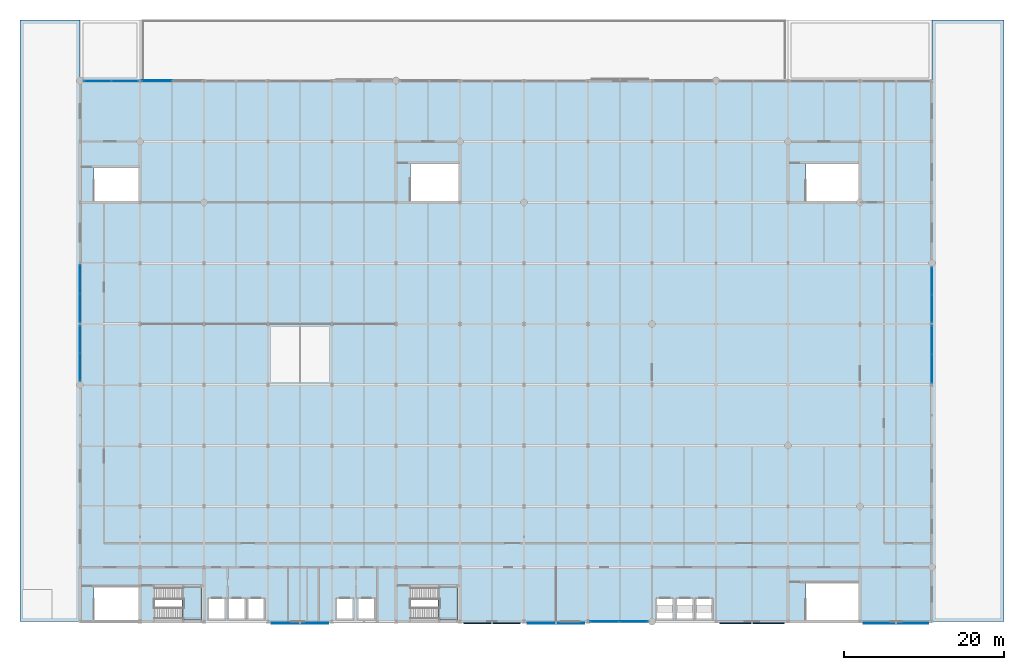
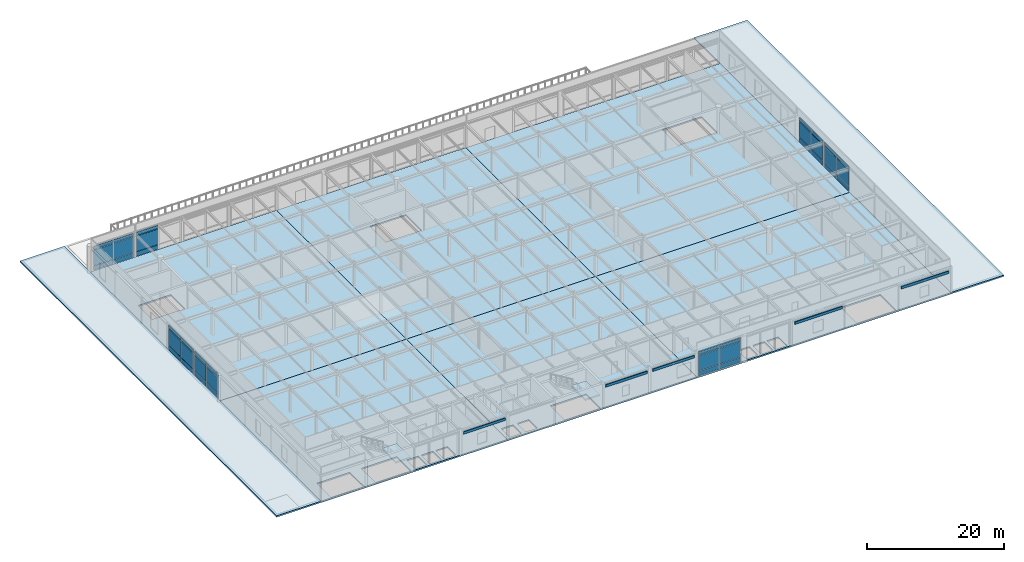
# One storey, part 30 of 43: 44 plates, 10 slabs, 9 elements without a shape of their own.
"""IFC4 building model written with IfcOpenShell, lengths in metres."""

import ifcopenshell
import ifcopenshell.guid

model = None  # the IFC model being written
_history = None  # IfcOwnerHistory: only IFC2X3 demands one
_inside = {}  # id of a spatial element -> (the spatial element, [elements in it])
_under = {}  # id of a project, library or spatial element -> (it, [spatial elements below it])
_declared = {}  # id of a project -> (the project, [libraries it declares])
_typed = {}  # id of a type object -> (the type object, [elements of that type])
_made_of = {}  # id of a material, layer set ... -> (it, [elements and type objects made of it])


def new_model(schema):
    """Start an empty IFC model of exactly this schema.

    Asked for "IFC4X3", IfcOpenShell would pick the latest addendum, in which some entities
    have other attributes; the version numbers below select the first issue.
    IFC2X3 requires an IfcOwnerHistory on every rooted entity: one is made here for all.
    """
    global model, _history
    if schema == "IFC4X3":
        model = ifcopenshell.file(schema_version=(4, 3, 0, 0))
    else:
        model = ifcopenshell.file(schema=schema)
    _inside.clear()
    _under.clear()
    _declared.clear()
    _typed.clear()
    _made_of.clear()
    _history = None
    if model.schema == "IFC2X3":
        org = make("IfcOrganization", Name="unknown")
        user = make(
            "IfcPersonAndOrganization",
            ThePerson=make("IfcPerson", FamilyName="unknown"),
            TheOrganization=org,
        )
        app = make(
            "IfcApplication",
            ApplicationDeveloper=org,
            Version="unknown",
            ApplicationFullName="unknown",
            ApplicationIdentifier="unknown",
        )
        _history = make(
            "IfcOwnerHistory",
            OwningUser=user,
            OwningApplication=app,
            ChangeAction="ADDED",
            CreationDate=0,
        )
    return model


def make(cls, **values):
    """One entity of the class cls with the attributes given. An attribute that is None is left unset."""
    return model.create_entity(
        cls, **{name: value for name, value in values.items() if value is not None}
    )


def rooted(cls, **values):
    """An entity with a GlobalId (a new one), such as an element, a storey or a relation."""
    return make(cls, GlobalId=ifcopenshell.guid.new(), OwnerHistory=_history, **values)


def si_unit(unit_type, name, prefix=None):
    """IfcSIUnit, for example si_unit("LENGTHUNIT", "METRE", prefix="MILLI")."""
    return make("IfcSIUnit", UnitType=unit_type, Prefix=prefix, Name=name)


def assignment(units):
    """IfcUnitAssignment: the units of a project."""
    return None if units is None else make("IfcUnitAssignment", Units=units)


def point(xyz):
    """IfcCartesianPoint."""
    return None if xyz is None else make("IfcCartesianPoint", Coordinates=xyz)


def direction(xyz):
    """IfcDirection."""
    return None if xyz is None else make("IfcDirection", DirectionRatios=xyz)


def frame(location, z_axis=None, x_axis=None):
    """IfcAxis2Placement3D, a coordinate frame: its origin and axes. An axis left out is left unset."""
    return make(
        "IfcAxis2Placement3D",
        Location=point(location),
        Axis=direction(z_axis),
        RefDirection=direction(x_axis),
    )


def frame_2d(location, x_axis=None):
    """IfcAxis2Placement2D, a coordinate frame in the plane: its origin and x axis."""
    return make(
        "IfcAxis2Placement2D", Location=point(location), RefDirection=direction(x_axis)
    )


def origin():
    """The frame at (0, 0, 0) with its axes left unset."""
    return frame((0.0, 0.0, 0.0))


def origin_2d():
    """The frame at (0, 0) in the plane with its x axis left unset."""
    return frame_2d((0.0, 0.0))


def place(relative_to, where):
    """IfcLocalPlacement: puts the frame where relative to a parent placement (None: the world)."""
    return make(
        "IfcLocalPlacement", PlacementRelTo=relative_to, RelativePlacement=where
    )


def context(
    kind, dimensions, precision=None, world=None, true_north=None, identifier=None
):
    """IfcGeometricRepresentationContext, for example the 3D "Model" context."""
    return make(
        "IfcGeometricRepresentationContext",
        ContextIdentifier=identifier,
        ContextType=kind,
        CoordinateSpaceDimension=dimensions,
        Precision=precision,
        WorldCoordinateSystem=world,
        TrueNorth=true_north,
    )


def subcontext(parent, identifier, kind, view, scale=None):
    """IfcGeometricRepresentationSubContext, for example "Body" below "Model"."""
    return make(
        "IfcGeometricRepresentationSubContext",
        ContextIdentifier=identifier,
        ContextType=kind,
        ParentContext=parent,
        TargetScale=scale,
        TargetView=view,
    )


def project(units=None, contexts=None):
    """IfcProject with its units and contexts."""
    return rooted(
        "IfcProject",
        Name="project",
        RepresentationContexts=contexts,
        UnitsInContext=assignment(units),
    )


def spatial(cls, under=None, at=None, **own):
    """A site, building, storey or space (cls), placed at a placement, below another one or the project."""
    s = rooted(cls, ObjectPlacement=at, **own)
    if under is not None:
        _under.setdefault(under.id(), (under, []))[1].append(s)
    return s


def polyline(points):
    """IfcPolyline through the points."""
    return make("IfcPolyline", Points=[point(p) for p in points])


def profile(cls, at=None, kind="AREA", **sizes):
    """A parametric profile (cls). Its sizes go by their IFC names, for example OverallWidth=200.0."""
    return make(cls, ProfileType=kind, Position=at, **sizes)


def rectangle(**sizes):
    """IfcRectangleProfileDef."""
    return profile("IfcRectangleProfileDef", **sizes)


def outline(outer, holes=None, kind="AREA"):
    """IfcArbitraryClosedProfileDef: a profile drawn as a closed curve; with holes, ...WithVoids."""
    if holes is None:
        return make("IfcArbitraryClosedProfileDef", ProfileType=kind, OuterCurve=outer)
    return make(
        "IfcArbitraryProfileDefWithVoids",
        ProfileType=kind,
        OuterCurve=outer,
        InnerCurves=holes,
    )


def extrude(swept, where, along, depth):
    """IfcExtrudedAreaSolid: the profile swept, set in the frame where, extruded along a direction by depth."""
    return make(
        "IfcExtrudedAreaSolid",
        SweptArea=swept,
        Position=where,
        ExtrudedDirection=direction(along),
        Depth=depth,
    )


def shape(context_of_items, identifier, shape_type, items):
    """IfcShapeRepresentation: the items that make up one representation, for example the "Body"."""
    return make(
        "IfcShapeRepresentation",
        ContextOfItems=context_of_items,
        RepresentationIdentifier=identifier,
        RepresentationType=shape_type,
        Items=items,
    )


def material(Name=None, Category=None):
    """IfcMaterial."""
    return make("IfcMaterial", Name=Name, Category=Category)


def layer(
    of_material, thickness, ventilated=None, Name=None, Category=None, Priority=None
):
    """IfcMaterialLayer: one layer of a wall or slab, of a material (None: an air gap)."""
    return make(
        "IfcMaterialLayer",
        Material=of_material,
        LayerThickness=thickness,
        IsVentilated=ventilated,
        Name=Name,
        Category=Category,
        Priority=Priority,
    )


def layer_set(layers, Name=None):
    """IfcMaterialLayerSet."""
    return make("IfcMaterialLayerSet", MaterialLayers=layers, LayerSetName=Name)


def made_of(thing, what):
    """Note that an element or type object is made of a material, layer set ...; save() writes the relation."""
    if what is not None:
        _made_of.setdefault(what.id(), (what, []))[1].append(thing)
    return thing


def type_object(cls, material=None, **own):
    """A type object (cls), such as IfcWallType, which elements share."""
    return made_of(rooted(cls, **own), material)


def element(
    cls,
    number,
    at=None,
    inside=None,
    cuts=None,
    type_object=None,
    material=None,
    context=None,
    identifier="Body",
    shape_type=None,
    held_by="IfcProductDefinitionShape",
    body=None,
    shapes=None,
    **own,
):
    """One element of the class cls, such as IfcWall. Its Tag is "e" and its number.

    at: its placement. inside: the storey or other place that contains it. cuts: it is an
    opening in that element (IfcRelVoidsElement). A single representation is given by context,
    identifier, shape_type and body (its items); several are given by shapes. held_by: the class
    of the entity that holds the representations. save() writes the other relations.
    """
    e = rooted(cls, Tag="e%d" % number, ObjectPlacement=at, **own)
    if body is not None:
        shapes = [shape(context, identifier, shape_type, body)]
    if shapes is not None:
        e.Representation = make(held_by, Representations=shapes)
    if inside is not None:
        _inside.setdefault(inside.id(), (inside, []))[1].append(e)
    if cuts is not None:
        rooted(
            "IfcRelVoidsElement", RelatingBuildingElement=cuts, RelatedOpeningElement=e
        )
    if type_object is not None:
        _typed.setdefault(type_object.id(), (type_object, []))[1].append(e)
    return made_of(e, material)


def aggregate(whole, parts):
    """IfcRelAggregates: a whole, such as a stair, and the parts it consists of."""
    return rooted("IfcRelAggregates", RelatingObject=whole, RelatedObjects=parts)


def save(model, path):
    """Write the relations noted so far, then the file.

    IfcRelAggregates (storeys below a building ...), IfcRelContainedInSpatialStructure (elements
    in a storey), IfcRelDefinesByType, IfcRelAssociatesMaterial and IfcRelDeclares: one each for
    every whole, place, type object, material and project.
    """
    for whole, parts in _under.values():
        aggregate(whole, parts)
    for where, things in _inside.values():
        rooted(
            "IfcRelContainedInSpatialStructure",
            RelatedElements=things,
            RelatingStructure=where,
        )
    for kind, things in _typed.values():
        rooted("IfcRelDefinesByType", RelatedObjects=things, RelatingType=kind)
    for what, things in _made_of.values():
        rooted("IfcRelAssociatesMaterial", RelatedObjects=things, RelatingMaterial=what)
    for by, libraries in _declared.values():
        rooted("IfcRelDeclares", RelatingContext=by, RelatedDefinitions=libraries)
    model.write(path)


model = new_model("IFC4")

# Units and contexts
model_context = context("Model", 3, precision=1e-05, world=origin(), true_north=direction((0.0, 1.0)))
body_context = subcontext(model_context, "Body", "Model", "MODEL_VIEW")
ifc_project = project(units=[si_unit("LENGTHUNIT", "METRE"), si_unit("AREAUNIT", "SQUARE_METRE"), si_unit("VOLUMEUNIT", "CUBIC_METRE"), si_unit("PLANEANGLEUNIT", "RADIAN"), si_unit("MASSUNIT", "GRAM", prefix="KILO")], contexts=[model_context])

# Site, building, storey
site_placement = place(None, origin())
site = spatial("IfcSite", under=ifc_project, at=site_placement, CompositionType="ELEMENT")
building_placement = place(site_placement, origin())
building = spatial("IfcBuilding", under=site, at=building_placement, Name="Shalkamar Park Central Library", CompositionType="ELEMENT")
storey_placement = place(building_placement, frame((0.0, 0.0, 15.60009765625)))
storey = spatial("IfcBuildingStorey", under=building, at=storey_placement, Name="L04", CompositionType="ELEMENT", Elevation=15.60009765625)

# Plates
ifc_material_1 = material(Name="Anodized bronze architectural frieze plate", Category="aluminium")
ifc_layer_1 = layer(ifc_material_1, 0.110107421875)
ifc_layer_set_1 = layer_set([ifc_layer_1], Name="BronzeSpandrelFriezePlate_110")
plate_type_1 = type_object("IfcPlateType", Name="Bronze Spandrel Frieze Plate 110", PredefinedType="USERDEFINED", material=ifc_layer_set_1)
for number, where, z_axis, x_axis, name in (
    (1, (185.0, 248.205078125, 3.7177734375), (0.0, 0.0, 1.0), (1.0, 0.0, 0.0), "Bronze Spandrel Frieze Plate L04-035"),
    (2, (217.0, 248.205078125, 3.7177734375), (0.0, 0.0, 1.0), (1.0, 0.0, 0.0), "Bronze Spandrel Frieze Plate L04-037"),
):
    element("IfcPlate", number, at=place(storey_placement, frame(where, z_axis=z_axis, x_axis=x_axis)), inside=storey, type_object=plate_type_1, Name=name, ObjectType="CLADDING", PredefinedType="USERDEFINED", context=body_context, shape_type="SweptSolid", body=[
        extrude(rectangle(XDim=7.028076171875, YDim=0.110107421875, at=origin_2d()), origin(), (0.0, 0.0, 1.0), 0.449951171875),
    ])
plate_1_placement = place(storey_placement, frame((259.5, 248.205078125, 3.748046875), z_axis=(0.0, 0.0, 1.0), x_axis=(1.0, 0.0, 0.0)))
element("IfcPlate", 3, at=plate_1_placement, inside=storey, type_object=plate_type_1, Name="Bronze Spandrel Frieze Plate L04-039", ObjectType="CLADDING", PredefinedType="USERDEFINED", context=body_context, shape_type="SweptSolid", body=[
    extrude(rectangle(XDim=8.028076171875, YDim=0.110107421875, at=origin_2d()), origin(), (0.0, 0.0, 1.0), 0.449951171875),
])

# Slabs
ifc_material_2 = material(Name="Concrete C35/45", Category="concrete")
ifc_layer_2 = layer(ifc_material_2, 0.25)
ifc_layer_set_2 = layer_set([ifc_layer_2], Name="Concrete C35/45")
slab_type_1 = type_object("IfcSlabType", Name="Flat Roof Slab 140", PredefinedType="ROOF", material=ifc_layer_set_2)
slab_1_placement = place(storey_placement, frame((0.0, 0.0, -0.25)))
element("IfcSlab", 4, at=slab_1_placement, inside=storey, type_object=slab_type_1, Name="Flat Roof Slab RF-L03-W", PredefinedType="ROOF", context=body_context, shape_type="SweptSolid", body=[
    extrude(outline(polyline([(150.0, 248.39990234375), (157.5, 248.39990234375), (157.5, 323.60009765625), (150.0, 323.60009765625), (150.0, 248.39990234375)])), origin(), (0.0, 0.0, 1.0), 0.25),
])
slab_2_placement = place(storey_placement, frame((0.0, 0.0, -0.25)))
element("IfcSlab", 5, at=slab_2_placement, inside=storey, type_object=slab_type_1, Name="Flat Roof Slab RF-L03-E", PredefinedType="ROOF", context=body_context, shape_type="SweptSolid", body=[
    extrude(outline(polyline([(264.0, 248.39990234375), (273.0, 248.39990234375), (273.0, 323.60009765625), (264.0, 323.60009765625), (264.0, 248.39990234375)])), origin(), (0.0, 0.0, 1.0), 0.25),
])

# Plates
ifc_material_3 = material(Name="Anodized bronze stepped frieze plate", Category="aluminium")
ifc_layer_3 = layer(ifc_material_3, 0.139892578125)
ifc_layer_set_3 = layer_set([ifc_layer_3], Name="PostmodernKeystoneFriezePlate_140")
plate_type_2 = type_object("IfcPlateType", Name="Postmodern Keystone Frieze Plate 140", PredefinedType="USERDEFINED", material=ifc_layer_set_3)
plate_2_placement = place(storey_placement, frame((209.0, 248.18994140625, 3.7177734375), z_axis=(0.0, 0.0, 1.0), x_axis=(1.0, 0.0, 0.0)))
element("IfcPlate", 6, at=plate_2_placement, inside=storey, type_object=plate_type_2, Name="Bronze Spandrel Frieze Plate L04-036", ObjectType="CLADDING", PredefinedType="USERDEFINED", context=body_context, shape_type="SweptSolid", body=[
    extrude(rectangle(XDim=7.028076171875, YDim=0.139892578125, at=origin_2d()), origin(), (0.0, 0.0, 1.0), 0.449951171875),
])
plate_3_placement = place(storey_placement, frame((241.5, 248.18994140625, 3.748046875), z_axis=(0.0, 0.0, 1.0), x_axis=(1.0, 0.0, 0.0)))
element("IfcPlate", 7, at=plate_3_placement, inside=storey, type_object=plate_type_2, Name="Bronze Spandrel Frieze Plate L04-038", ObjectType="CLADDING", PredefinedType="USERDEFINED", context=body_context, shape_type="SweptSolid", body=[
    extrude(rectangle(XDim=8.028076171875, YDim=0.139892578125, at=origin_2d()), origin(), (0.0, 0.0, 1.0), 0.449951171875),
])

# Curtain wall, plates
ifc_material_4 = material(Name="Thermally broken aluminium and triple low-e curtain wall", Category="aluminium")
ifc_layer_4 = layer(ifc_material_4, 0.264892578125)
ifc_layer_set_4 = layer_set([ifc_layer_4], Name="UnitisedCurtainWall_54")
curtain_wall_type_1 = type_object("IfcCurtainWallType", Name="Unitised Curtain Wall 54", PredefinedType="USERDEFINED", material=ifc_layer_set_4)
curtain_wall_1_placement = place(storey_placement, origin())
curtain_wall_1 = element("IfcCurtainWall", 8, at=curtain_wall_1_placement, inside=storey, type_object=curtain_wall_type_1, Name="Unitised Curtain Wall CW-L04-068", ObjectType="UNITISED CURTAIN WALL", PredefinedType="USERDEFINED")
ifc_material_5 = material(Name="Insulated aluminium spandrel panel", Category="aluminium")
ifc_layer_5 = layer(ifc_material_5, 0.080078125)
ifc_layer_set_5 = layer_set([ifc_layer_5], Name="SpandrelShadowboxPanel_80")
plate_type_3 = type_object("IfcPlateType", Name="Spandrel Shadowbox Panel 80", PredefinedType="CURTAIN_PANEL", material=ifc_layer_set_5)
plate_4_placement = place(storey_placement, frame((167.105712890625, 316.0, 0.06982421875), z_axis=(0.0, 0.0, 1.0), x_axis=(1.0, 0.0, 0.0)))
plate_4 = element("IfcPlate", 9, at=plate_4_placement, type_object=plate_type_3, Name="CW-54 panel 1.1", PredefinedType="CURTAIN_PANEL", context=body_context, shape_type="SweptSolid", body=[
    extrude(rectangle(XDim=3.71337890625, YDim=0.080078125, at=origin_2d()), origin(), (0.0, 0.0, 1.0), 0.794921875),
])
plate_5_placement = place(storey_placement, frame((167.105712890625, 316.0, 0.93505859375), z_axis=(0.0, 0.0, 1.0), x_axis=(1.0, 0.0, 0.0)))
plate_5 = element("IfcPlate", 10, at=plate_5_placement, type_object=plate_type_3, Name="CW-54 panel 1.2", PredefinedType="CURTAIN_PANEL", context=body_context, shape_type="SweptSolid", body=[
    extrude(rectangle(XDim=3.71337890625, YDim=0.080078125, at=origin_2d()), origin(), (0.0, 0.0, 1.0), 2.760009765625),
])
plate_6_placement = place(storey_placement, frame((167.105712890625, 316.0, 3.764892578125), z_axis=(0.0, 0.0, 1.0), x_axis=(1.0, 0.0, 0.0)))
plate_6 = element("IfcPlate", 11, at=plate_6_placement, type_object=plate_type_3, Name="CW-54 panel 1.3", PredefinedType="CURTAIN_PANEL", context=body_context, shape_type="SweptSolid", body=[
    extrude(rectangle(XDim=3.71337890625, YDim=0.080078125, at=origin_2d()), origin(), (0.0, 0.0, 1.0), 0.64501953125),
])
aggregate(curtain_wall_1, [plate_4, plate_5, plate_6])

ifc_layer_6 = layer(ifc_material_4, 0.264892578125)
ifc_layer_set_6 = layer_set([ifc_layer_6], Name="UnitisedCurtainWall_64")
curtain_wall_type_2 = type_object("IfcCurtainWallType", Name="Unitised Curtain Wall 64", PredefinedType="USERDEFINED", material=ifc_layer_set_6)
curtain_wall_2_placement = place(storey_placement, origin())
curtain_wall_2 = element("IfcCurtainWall", 12, at=curtain_wall_2_placement, inside=storey, type_object=curtain_wall_type_2, Name="Unitised Curtain Wall CW-L04-079", ObjectType="UNITISED CURTAIN WALL", PredefinedType="USERDEFINED")
plate_7_placement = place(storey_placement, frame((157.5, 287.59814453125, 0.06982421875), z_axis=(0.0, 0.0, 1.0), x_axis=(0.0, 1.0, 0.0)))
plate_7 = element("IfcPlate", 13, at=plate_7_placement, type_object=plate_type_3, Name="CW-64 panel 1.1", PredefinedType="CURTAIN_PANEL", context=body_context, shape_type="SweptSolid", body=[
    extrude(rectangle(XDim=3.5185546875, YDim=0.080078125, at=origin_2d()), origin(), (0.0, 0.0, 1.0), 0.794921875),
])
plate_8_placement = place(storey_placement, frame((157.5, 287.59814453125, 0.934814453125), z_axis=(0.0, 0.0, 1.0), x_axis=(0.0, 1.0, 0.0)))
plate_8 = element("IfcPlate", 14, at=plate_8_placement, type_object=plate_type_3, Name="CW-64 panel 1.2", PredefinedType="CURTAIN_PANEL", context=body_context, shape_type="SweptSolid", body=[
    extrude(rectangle(XDim=3.5185546875, YDim=0.080078125, at=origin_2d()), origin(), (0.0, 0.0, 1.0), 2.830078125),
])
plate_9_placement = place(storey_placement, frame((157.5, 287.59814453125, 3.8349609375), z_axis=(0.0, 0.0, 1.0), x_axis=(0.0, 1.0, 0.0)))
plate_9 = element("IfcPlate", 15, at=plate_9_placement, type_object=plate_type_3, Name="CW-64 panel 1.3", PredefinedType="CURTAIN_PANEL", context=body_context, shape_type="SweptSolid", body=[
    extrude(rectangle(XDim=3.5185546875, YDim=0.080078125, at=origin_2d()), origin(), (0.0, 0.0, 1.0), 0.64501953125),
])
plate_10_placement = place(storey_placement, frame((157.5, 291.20166015625, 0.06982421875), z_axis=(0.0, 0.0, 1.0), x_axis=(0.0, 1.0, 0.0)))
plate_10 = element("IfcPlate", 16, at=plate_10_placement, type_object=plate_type_3, Name="CW-64 panel 2.1", PredefinedType="CURTAIN_PANEL", context=body_context, shape_type="SweptSolid", body=[
    extrude(rectangle(XDim=3.5185546875, YDim=0.080078125, at=origin_2d()), origin(), (0.0, 0.0, 1.0), 0.794921875),
])
plate_11_placement = place(storey_placement, frame((157.5, 291.20166015625, 0.934814453125), z_axis=(0.0, 0.0, 1.0), x_axis=(0.0, 1.0, 0.0)))
plate_11 = element("IfcPlate", 17, at=plate_11_placement, type_object=plate_type_3, Name="CW-64 panel 2.2", PredefinedType="CURTAIN_PANEL", context=body_context, shape_type="SweptSolid", body=[
    extrude(rectangle(XDim=3.5185546875, YDim=0.080078125, at=origin_2d()), origin(), (0.0, 0.0, 1.0), 2.830078125),
])
plate_12_placement = place(storey_placement, frame((157.5, 291.20166015625, 3.8349609375), z_axis=(0.0, 0.0, 1.0), x_axis=(0.0, 1.0, 0.0)))
plate_12 = element("IfcPlate", 18, at=plate_12_placement, type_object=plate_type_3, Name="CW-64 panel 2.3", PredefinedType="CURTAIN_PANEL", context=body_context, shape_type="SweptSolid", body=[
    extrude(rectangle(XDim=3.5185546875, YDim=0.080078125, at=origin_2d()), origin(), (0.0, 0.0, 1.0), 0.64501953125),
])
aggregate(curtain_wall_2, [plate_7, plate_8, plate_9, plate_10, plate_11, plate_12])

ifc_layer_7 = layer(ifc_material_4, 0.264892578125)
ifc_layer_set_7 = layer_set([ifc_layer_7], Name="UnitisedCurtainWall_66")
curtain_wall_type_3 = type_object("IfcCurtainWallType", Name="Unitised Curtain Wall 66", PredefinedType="USERDEFINED", material=ifc_layer_set_7)
curtain_wall_3_placement = place(storey_placement, origin())
curtain_wall_3 = element("IfcCurtainWall", 19, at=curtain_wall_3_placement, inside=storey, type_object=curtain_wall_type_3, Name="Unitised Curtain Wall CW-L04-081", ObjectType="UNITISED CURTAIN WALL", PredefinedType="USERDEFINED")
plate_13_placement = place(storey_placement, frame((264.0, 287.53076171875, 0.06982421875), z_axis=(0.0, 0.0, 1.0), x_axis=(0.0, 1.0, 0.0)))
plate_13 = element("IfcPlate", 20, at=plate_13_placement, type_object=plate_type_3, Name="CW-66 panel 1.1", PredefinedType="CURTAIN_PANEL", context=body_context, shape_type="SweptSolid", body=[
    extrude(rectangle(XDim=3.363525390625, YDim=0.080078125, at=origin_2d()), origin(), (0.0, 0.0, 1.0), 0.794921875),
])
plate_14_placement = place(storey_placement, frame((264.0, 287.53076171875, 0.934814453125), z_axis=(0.0, 0.0, 1.0), x_axis=(0.0, 1.0, 0.0)))
plate_14 = element("IfcPlate", 21, at=plate_14_placement, type_object=plate_type_3, Name="CW-66 panel 1.2", PredefinedType="CURTAIN_PANEL", context=body_context, shape_type="SweptSolid", body=[
    extrude(rectangle(XDim=3.363525390625, YDim=0.080078125, at=origin_2d()), origin(), (0.0, 0.0, 1.0), 2.830078125),
])
plate_15_placement = place(storey_placement, frame((264.0, 287.53076171875, 3.8349609375), z_axis=(0.0, 0.0, 1.0), x_axis=(0.0, 1.0, 0.0)))
plate_15 = element("IfcPlate", 22, at=plate_15_placement, type_object=plate_type_3, Name="CW-66 panel 1.3", PredefinedType="CURTAIN_PANEL", context=body_context, shape_type="SweptSolid", body=[
    extrude(rectangle(XDim=3.363525390625, YDim=0.080078125, at=origin_2d()), origin(), (0.0, 0.0, 1.0), 0.64501953125),
])
plate_16_placement = place(storey_placement, frame((264.0, 290.979248046875, 0.06982421875), z_axis=(0.0, 0.0, 1.0), x_axis=(0.0, 1.0, 0.0)))
plate_16 = element("IfcPlate", 23, at=plate_16_placement, type_object=plate_type_3, Name="CW-66 panel 2.1", PredefinedType="CURTAIN_PANEL", context=body_context, shape_type="SweptSolid", body=[
    extrude(rectangle(XDim=3.363525390625, YDim=0.080078125, at=origin_2d()), origin(), (0.0, 0.0, 1.0), 0.794921875),
])
plate_17_placement = place(storey_placement, frame((264.0, 290.979248046875, 0.934814453125), z_axis=(0.0, 0.0, 1.0), x_axis=(0.0, 1.0, 0.0)))
plate_17 = element("IfcPlate", 24, at=plate_17_placement, type_object=plate_type_3, Name="CW-66 panel 2.2", PredefinedType="CURTAIN_PANEL", context=body_context, shape_type="SweptSolid", body=[
    extrude(rectangle(XDim=3.363525390625, YDim=0.080078125, at=origin_2d()), origin(), (0.0, 0.0, 1.0), 2.830078125),
])
plate_18_placement = place(storey_placement, frame((264.0, 290.979248046875, 3.8349609375), z_axis=(0.0, 0.0, 1.0), x_axis=(0.0, 1.0, 0.0)))
plate_18 = element("IfcPlate", 25, at=plate_18_placement, type_object=plate_type_3, Name="CW-66 panel 2.3", PredefinedType="CURTAIN_PANEL", context=body_context, shape_type="SweptSolid", body=[
    extrude(rectangle(XDim=3.363525390625, YDim=0.080078125, at=origin_2d()), origin(), (0.0, 0.0, 1.0), 0.64501953125),
])
aggregate(curtain_wall_3, [plate_13, plate_14, plate_15, plate_16, plate_17, plate_18])

# Stair, slab
stair_type = type_object("IfcStairType", Name="Protected Dog Leg Stair 150x480", PredefinedType="TWO_STRAIGHT_RUN_STAIR", material=ifc_material_2)
stair_1_placement = place(storey_placement, origin())
stair_1 = element("IfcStair", 26, at=stair_1_placement, inside=storey, type_object=stair_type, Name="Protected Core Stair ST-T1-L04", PredefinedType="TWO_STRAIGHT_RUN_STAIR")
ifc_layer_8 = layer(ifc_material_2, 0.280029296875)
ifc_layer_set_8 = layer_set([ifc_layer_8], Name="Concrete C35/45")
slab_type_2 = type_object("IfcSlabType", Name="Stair Landing Slab 160", PredefinedType="LANDING", material=ifc_layer_set_8)
slab_3_placement = place(storey_placement, frame((0.0, 0.0, 2.119873046875)))
slab_3 = element("IfcSlab", 27, at=slab_3_placement, type_object=slab_type_2, Name="ST-T1-L04 landing 1", PredefinedType="LANDING", context=body_context, shape_type="SweptSolid", body=[
    extrude(outline(polyline([(170.260009765625, 248.6201171875), (172.780029296875, 248.6201171875), (172.780029296875, 252.679931640625), (170.260009765625, 252.679931640625), (170.260009765625, 248.6201171875)])), origin(), (0.0, 0.0, 1.0), 0.280029296875),
])
aggregate(stair_1, [slab_3])

stair_2_placement = place(storey_placement, origin())
stair_2 = element("IfcStair", 28, at=stair_2_placement, inside=storey, type_object=stair_type, Name="Protected Core Stair ST-T2-L04", PredefinedType="TWO_STRAIGHT_RUN_STAIR")
slab_4_placement = place(storey_placement, frame((0.0, 0.0, 2.119873046875)))
slab_4 = element("IfcSlab", 29, at=slab_4_placement, type_object=slab_type_2, Name="ST-T2-L04 landing 1", PredefinedType="LANDING", context=body_context, shape_type="SweptSolid", body=[
    extrude(outline(polyline([(202.260009765625, 248.6201171875), (204.780029296875, 248.6201171875), (204.780029296875, 252.679931640625), (202.260009765625, 252.679931640625), (202.260009765625, 248.6201171875)])), origin(), (0.0, 0.0, 1.0), 0.280029296875),
])
aggregate(stair_2, [slab_4])

# Slabs
ifc_layer_9 = layer(ifc_material_2, 0.260009765625)
ifc_layer_set_9 = layer_set([ifc_layer_9], Name="Concrete C35/45")
slab_type_3 = type_object("IfcSlabType", Name="Suspended Floor Slab 260", PredefinedType="FLOOR", material=ifc_layer_set_9)
slab_5_placement = place(storey_placement, frame((0.0, 0.0, -0.260009765625)))
element("IfcSlab", 30, at=slab_5_placement, inside=storey, type_object=slab_type_3, Name="Level L04 Composite Floor Slab SW", PredefinedType="FLOOR", context=body_context, shape_type="SweptSolid", body=[
    extrude(outline(polyline([(157.5, 248.39990234375), (157.5, 278.0), (189.0, 278.0), (189.0, 248.39990234375), (157.5, 248.39990234375)]), holes=[polyline([(173.6201171875, 251.22998046875), (173.6201171875, 248.77001953125), (175.580078125, 248.77001953125), (175.580078125, 251.22998046875), (173.6201171875, 251.22998046875)]), polyline([(178.080078125, 251.22998046875), (176.1201171875, 251.22998046875), (176.1201171875, 248.77001953125), (178.080078125, 248.77001953125), (178.080078125, 251.22998046875)]), polyline([(180.47998046875, 251.22998046875), (178.52001953125, 251.22998046875), (178.52001953125, 248.77001953125), (180.47998046875, 248.77001953125), (180.47998046875, 251.22998046875)]), polyline([(164.824951171875, 252.675048828125), (159.27490234375, 252.675048828125), (159.27490234375, 248.574951171875), (164.824951171875, 248.574951171875), (164.824951171875, 252.675048828125)]), polyline([(172.800048828125, 252.699951171875), (166.800048828125, 252.699951171875), (166.800048828125, 248.60009765625), (172.800048828125, 248.60009765625), (172.800048828125, 252.699951171875)])]), origin(), (0.0, 0.0, 1.0), 0.260009765625),
])
slab_6_placement = place(storey_placement, frame((0.0, 0.0, -0.260009765625)))
element("IfcSlab", 31, at=slab_6_placement, inside=storey, type_object=slab_type_3, Name="Level L04 Composite Floor Slab SC", PredefinedType="FLOOR", context=body_context, shape_type="SweptSolid", body=[
    extrude(outline(polyline([(189.0, 248.39990234375), (189.0, 278.0), (221.0, 278.0), (221.0, 248.39990234375), (189.0, 248.39990234375)]), holes=[polyline([(191.580078125, 251.22998046875), (189.6201171875, 251.22998046875), (189.6201171875, 248.77001953125), (191.580078125, 248.77001953125), (191.580078125, 251.22998046875)]), polyline([(194.280029296875, 251.22998046875), (192.320068359375, 251.22998046875), (192.320068359375, 248.77001953125), (194.280029296875, 248.77001953125), (194.280029296875, 251.22998046875)]), polyline([(204.800048828125, 252.699951171875), (198.800048828125, 252.699951171875), (198.800048828125, 248.60009765625), (204.800048828125, 248.60009765625), (204.800048828125, 252.699951171875)])]), origin(), (0.0, 0.0, 1.0), 0.260009765625),
])
slab_7_placement = place(storey_placement, frame((0.0, 0.0, -0.260009765625)))
element("IfcSlab", 32, at=slab_7_placement, inside=storey, type_object=slab_type_3, Name="Level L04 Composite Floor Slab SE", PredefinedType="FLOOR", context=body_context, shape_type="SweptSolid", body=[
    extrude(outline(polyline([(221.0, 248.39990234375), (221.0, 278.0), (264.0, 278.0), (264.0, 248.39990234375), (221.0, 248.39990234375)]), holes=[polyline([(231.580078125, 251.22998046875), (229.6201171875, 251.22998046875), (229.6201171875, 248.77001953125), (231.580078125, 248.77001953125), (231.580078125, 251.22998046875)]), polyline([(234.080078125, 251.22998046875), (232.1201171875, 251.22998046875), (232.1201171875, 248.77001953125), (234.080078125, 248.77001953125), (234.080078125, 251.22998046875)]), polyline([(236.47998046875, 251.22998046875), (234.52001953125, 251.22998046875), (234.52001953125, 248.77001953125), (236.47998046875, 248.77001953125), (236.47998046875, 251.22998046875)]), polyline([(254.824951171875, 253.175048828125), (248.22509765625, 253.175048828125), (248.22509765625, 248.574951171875), (254.824951171875, 248.574951171875), (254.824951171875, 253.175048828125)])]), origin(), (0.0, 0.0, 1.0), 0.260009765625),
])
slab_8_placement = place(storey_placement, frame((0.0, 0.0, -0.260009765625)))
element("IfcSlab", 33, at=slab_8_placement, inside=storey, type_object=slab_type_3, Name="Level L04 Composite Floor Slab NW", PredefinedType="FLOOR", context=body_context, shape_type="SweptSolid", body=[
    extrude(outline(polyline([(157.5, 278.0), (157.5, 316.0), (189.0, 316.0), (189.0, 278.0), (157.5, 278.0)]), holes=[polyline([(164.824951171875, 305.074951171875), (159.27490234375, 305.074951171875), (159.27490234375, 300.97509765625), (164.824951171875, 300.97509765625), (164.824951171875, 305.074951171875)])]), origin(), (0.0, 0.0, 1.0), 0.260009765625),
])
slab_9_placement = place(storey_placement, frame((0.0, 0.0, -0.260009765625)))
element("IfcSlab", 34, at=slab_9_placement, inside=storey, type_object=slab_type_3, Name="Level L04 Composite Floor Slab NC", PredefinedType="FLOOR", context=body_context, shape_type="SweptSolid", body=[
    extrude(outline(polyline([(189.0, 278.0), (189.0, 316.0), (221.0, 316.0), (221.0, 278.0), (189.0, 278.0)]), holes=[polyline([(204.824951171875, 305.574951171875), (198.794921875, 305.574951171875), (198.794921875, 300.97509765625), (204.824951171875, 300.97509765625), (204.824951171875, 305.574951171875)])]), origin(), (0.0, 0.0, 1.0), 0.260009765625),
])
slab_10_placement = place(storey_placement, frame((0.0, 0.0, -0.260009765625)))
element("IfcSlab", 35, at=slab_10_placement, inside=storey, type_object=slab_type_3, Name="Level L04 Composite Floor Slab NE", PredefinedType="FLOOR", context=body_context, shape_type="SweptSolid", body=[
    extrude(outline(polyline([(221.0, 278.0), (221.0, 316.0), (264.0, 316.0), (264.0, 278.0), (221.0, 278.0)]), holes=[polyline([(254.824951171875, 305.574951171875), (248.22509765625, 305.574951171875), (248.22509765625, 300.97509765625), (254.824951171875, 300.97509765625), (254.824951171875, 305.574951171875)])]), origin(), (0.0, 0.0, 1.0), 0.260009765625),
])

# Curtain wall, plates
ifc_layer_10 = layer(ifc_material_4, 0.280029296875)
ifc_layer_set_10 = layer_set([ifc_layer_10], Name="UnitisedCurtainWall_52")
curtain_wall_type_4 = type_object("IfcCurtainWallType", Name="Unitised Curtain Wall 52", PredefinedType="USERDEFINED", material=ifc_layer_set_10)
curtain_wall_4_placement = place(storey_placement, origin())
curtain_wall_4 = element("IfcCurtainWall", 36, at=curtain_wall_4_placement, inside=storey, type_object=curtain_wall_type_4, Name="Unitised Curtain Wall CW-L04-066", ObjectType="UNITISED CURTAIN WALL", PredefinedType="USERDEFINED")
ifc_material_6 = material(Name="Triple-glazed laminated glass", Category="glass")
ifc_layer_11 = layer(ifc_material_6, 0.06005859375)
ifc_layer_set_11 = layer_set([ifc_layer_11], Name="TripleGlazedPodiumPanel_60")
plate_type_4 = type_object("IfcPlateType", Name="Triple Glazed Podium Panel 60", PredefinedType="CURTAIN_PANEL", material=ifc_layer_set_11)
plate_19_placement = place(storey_placement, frame((223.068115234375, 248.39990234375, 0.06982421875), z_axis=(0.0, 0.0, 1.0), x_axis=(1.0, 0.0, 0.0)))
plate_19 = element("IfcPlate", 37, at=plate_19_placement, type_object=plate_type_4, Name="CW-52 panel 1.1", PredefinedType="CURTAIN_PANEL", context=body_context, shape_type="SweptSolid", body=[
    extrude(rectangle(XDim=3.531982421875, YDim=0.06005859375, at=origin_2d()), origin(), (0.0, 0.0, 1.0), 0.794921875),
])
plate_20_placement = place(storey_placement, frame((223.068115234375, 248.39990234375, 0.93505859375), z_axis=(0.0, 0.0, 1.0), x_axis=(1.0, 0.0, 0.0)))
plate_20 = element("IfcPlate", 38, at=plate_20_placement, type_object=plate_type_4, Name="CW-52 panel 1.2", PredefinedType="CURTAIN_PANEL", context=body_context, shape_type="SweptSolid", body=[
    extrude(rectangle(XDim=3.531982421875, YDim=0.06005859375, at=origin_2d()), origin(), (0.0, 0.0, 1.0), 2.760009765625),
])
plate_21_placement = place(storey_placement, frame((223.068115234375, 248.39990234375, 3.764892578125), z_axis=(0.0, 0.0, 1.0), x_axis=(1.0, 0.0, 0.0)))
plate_21 = element("IfcPlate", 39, at=plate_21_placement, type_object=plate_type_4, Name="CW-52 panel 1.3", PredefinedType="CURTAIN_PANEL", context=body_context, shape_type="SweptSolid", body=[
    extrude(rectangle(XDim=3.531982421875, YDim=0.06005859375, at=origin_2d()), origin(), (0.0, 0.0, 1.0), 0.64501953125),
])
plate_22_placement = place(storey_placement, frame((226.68994140625, 248.39990234375, 0.06982421875), z_axis=(0.0, 0.0, 1.0), x_axis=(1.0, 0.0, 0.0)))
plate_22 = element("IfcPlate", 40, at=plate_22_placement, type_object=plate_type_4, Name="CW-52 panel 2.1", PredefinedType="CURTAIN_PANEL", context=body_context, shape_type="SweptSolid", body=[
    extrude(rectangle(XDim=3.531982421875, YDim=0.06005859375, at=origin_2d()), origin(), (0.0, 0.0, 1.0), 0.794921875),
])
plate_23_placement = place(storey_placement, frame((226.68994140625, 248.39990234375, 0.93505859375), z_axis=(0.0, 0.0, 1.0), x_axis=(1.0, 0.0, 0.0)))
plate_23 = element("IfcPlate", 41, at=plate_23_placement, type_object=plate_type_4, Name="CW-52 panel 2.2", PredefinedType="CURTAIN_PANEL", context=body_context, shape_type="SweptSolid", body=[
    extrude(rectangle(XDim=3.531982421875, YDim=0.06005859375, at=origin_2d()), origin(), (0.0, 0.0, 1.0), 2.760009765625),
])
plate_24_placement = place(storey_placement, frame((226.68994140625, 248.39990234375, 3.764892578125), z_axis=(0.0, 0.0, 1.0), x_axis=(1.0, 0.0, 0.0)))
plate_24 = element("IfcPlate", 42, at=plate_24_placement, type_object=plate_type_4, Name="CW-52 panel 2.3", PredefinedType="CURTAIN_PANEL", context=body_context, shape_type="SweptSolid", body=[
    extrude(rectangle(XDim=3.531982421875, YDim=0.06005859375, at=origin_2d()), origin(), (0.0, 0.0, 1.0), 0.64501953125),
])
aggregate(curtain_wall_4, [plate_19, plate_20, plate_21, plate_22, plate_23, plate_24])

ifc_layer_12 = layer(ifc_material_4, 0.27001953125)
ifc_layer_set_12 = layer_set([ifc_layer_12], Name="UnitisedCurtainWall_53")
curtain_wall_type_5 = type_object("IfcCurtainWallType", Name="Unitised Curtain Wall 53", PredefinedType="USERDEFINED", material=ifc_layer_set_12)
curtain_wall_5_placement = place(storey_placement, origin())
curtain_wall_5 = element("IfcCurtainWall", 43, at=curtain_wall_5_placement, inside=storey, type_object=curtain_wall_type_5, Name="Unitised Curtain Wall CW-L04-067", ObjectType="UNITISED CURTAIN WALL", PredefinedType="USERDEFINED")
plate_25_placement = place(storey_placement, frame((159.694580078125, 316.0, 0.06494140625), z_axis=(0.0, 0.0, 1.0), x_axis=(1.0, 0.0, 0.0)))
plate_25 = element("IfcPlate", 44, at=plate_25_placement, type_object=plate_type_4, Name="CW-53 panel 1.1", PredefinedType="CURTAIN_PANEL", context=body_context, shape_type="SweptSolid", body=[
    extrude(rectangle(XDim=3.321044921875, YDim=0.06005859375, at=origin_2d()), origin(), (0.0, 0.0, 1.0), 0.802490234375),
])
plate_26_placement = place(storey_placement, frame((159.694580078125, 316.0, 0.9326171875), z_axis=(0.0, 0.0, 1.0), x_axis=(1.0, 0.0, 0.0)))
plate_26 = element("IfcPlate", 45, at=plate_26_placement, type_object=plate_type_4, Name="CW-53 panel 1.2", PredefinedType="CURTAIN_PANEL", context=body_context, shape_type="SweptSolid", body=[
    extrude(rectangle(XDim=3.321044921875, YDim=0.06005859375, at=origin_2d()), origin(), (0.0, 0.0, 1.0), 2.764892578125),
])
plate_27_placement = place(storey_placement, frame((159.694580078125, 316.0, 3.76220703125), z_axis=(0.0, 0.0, 1.0), x_axis=(1.0, 0.0, 0.0)))
plate_27 = element("IfcPlate", 46, at=plate_27_placement, type_object=plate_type_4, Name="CW-53 panel 1.3", PredefinedType="CURTAIN_PANEL", context=body_context, shape_type="SweptSolid", body=[
    extrude(rectangle(XDim=3.321044921875, YDim=0.06005859375, at=origin_2d()), origin(), (0.0, 0.0, 1.0), 0.652587890625),
])
plate_28_placement = place(storey_placement, frame((163.095458984375, 316.0, 0.06494140625), z_axis=(0.0, 0.0, 1.0), x_axis=(1.0, 0.0, 0.0)))
plate_28 = element("IfcPlate", 47, at=plate_28_placement, type_object=plate_type_4, Name="CW-53 panel 2.1", PredefinedType="CURTAIN_PANEL", context=body_context, shape_type="SweptSolid", body=[
    extrude(rectangle(XDim=3.321044921875, YDim=0.06005859375, at=origin_2d()), origin(), (0.0, 0.0, 1.0), 0.802490234375),
])
plate_29_placement = place(storey_placement, frame((163.095458984375, 316.0, 0.9326171875), z_axis=(0.0, 0.0, 1.0), x_axis=(1.0, 0.0, 0.0)))
plate_29 = element("IfcPlate", 48, at=plate_29_placement, type_object=plate_type_4, Name="CW-53 panel 2.2", PredefinedType="CURTAIN_PANEL", context=body_context, shape_type="SweptSolid", body=[
    extrude(rectangle(XDim=3.321044921875, YDim=0.06005859375, at=origin_2d()), origin(), (0.0, 0.0, 1.0), 2.764892578125),
])
plate_30_placement = place(storey_placement, frame((163.095458984375, 316.0, 3.76220703125), z_axis=(0.0, 0.0, 1.0), x_axis=(1.0, 0.0, 0.0)))
plate_30 = element("IfcPlate", 49, at=plate_30_placement, type_object=plate_type_4, Name="CW-53 panel 2.3", PredefinedType="CURTAIN_PANEL", context=body_context, shape_type="SweptSolid", body=[
    extrude(rectangle(XDim=3.321044921875, YDim=0.06005859375, at=origin_2d()), origin(), (0.0, 0.0, 1.0), 0.652587890625),
])
aggregate(curtain_wall_5, [plate_25, plate_26, plate_27, plate_28, plate_29, plate_30])

ifc_layer_13 = layer(ifc_material_4, 0.27001953125)
ifc_layer_set_13 = layer_set([ifc_layer_13], Name="UnitisedCurtainWall_63")
curtain_wall_type_6 = type_object("IfcCurtainWallType", Name="Unitised Curtain Wall 63", PredefinedType="USERDEFINED", material=ifc_layer_set_13)
curtain_wall_6_placement = place(storey_placement, origin())
curtain_wall_6 = element("IfcCurtainWall", 50, at=curtain_wall_6_placement, inside=storey, type_object=curtain_wall_type_6, Name="Unitised Curtain Wall CW-L04-078", ObjectType="UNITISED CURTAIN WALL", PredefinedType="USERDEFINED")
plate_31_placement = place(storey_placement, frame((157.5, 280.221923828125, 0.06494140625), z_axis=(0.0, 0.0, 1.0), x_axis=(0.0, 1.0, 0.0)))
plate_31 = element("IfcPlate", 51, at=plate_31_placement, type_object=plate_type_4, Name="CW-63 panel 1.1", PredefinedType="CURTAIN_PANEL", context=body_context, shape_type="SweptSolid", body=[
    extrude(rectangle(XDim=3.3759765625, YDim=0.06005859375, at=origin_2d()), origin(), (0.0, 0.0, 1.0), 0.802490234375),
])
plate_32_placement = place(storey_placement, frame((157.5, 280.221923828125, 0.932373046875), z_axis=(0.0, 0.0, 1.0), x_axis=(0.0, 1.0, 0.0)))
plate_32 = element("IfcPlate", 52, at=plate_32_placement, type_object=plate_type_4, Name="CW-63 panel 1.2", PredefinedType="CURTAIN_PANEL", context=body_context, shape_type="SweptSolid", body=[
    extrude(rectangle(XDim=3.3759765625, YDim=0.06005859375, at=origin_2d()), origin(), (0.0, 0.0, 1.0), 2.8349609375),
])
plate_33_placement = place(storey_placement, frame((157.5, 280.221923828125, 3.83251953125), z_axis=(0.0, 0.0, 1.0), x_axis=(0.0, 1.0, 0.0)))
plate_33 = element("IfcPlate", 53, at=plate_33_placement, type_object=plate_type_4, Name="CW-63 panel 1.3", PredefinedType="CURTAIN_PANEL", context=body_context, shape_type="SweptSolid", body=[
    extrude(rectangle(XDim=3.3759765625, YDim=0.06005859375, at=origin_2d()), origin(), (0.0, 0.0, 1.0), 0.652587890625),
])
plate_34_placement = place(storey_placement, frame((157.5, 283.677978515625, 0.06494140625), z_axis=(0.0, 0.0, 1.0), x_axis=(0.0, 1.0, 0.0)))
plate_34 = element("IfcPlate", 54, at=plate_34_placement, type_object=plate_type_4, Name="CW-63 panel 2.1", PredefinedType="CURTAIN_PANEL", context=body_context, shape_type="SweptSolid", body=[
    extrude(rectangle(XDim=3.3759765625, YDim=0.06005859375, at=origin_2d()), origin(), (0.0, 0.0, 1.0), 0.802490234375),
])
plate_35_placement = place(storey_placement, frame((157.5, 283.677978515625, 0.932373046875), z_axis=(0.0, 0.0, 1.0), x_axis=(0.0, 1.0, 0.0)))
plate_35 = element("IfcPlate", 55, at=plate_35_placement, type_object=plate_type_4, Name="CW-63 panel 2.2", PredefinedType="CURTAIN_PANEL", context=body_context, shape_type="SweptSolid", body=[
    extrude(rectangle(XDim=3.3759765625, YDim=0.06005859375, at=origin_2d()), origin(), (0.0, 0.0, 1.0), 2.8349609375),
])
plate_36_placement = place(storey_placement, frame((157.5, 283.677978515625, 3.83251953125), z_axis=(0.0, 0.0, 1.0), x_axis=(0.0, 1.0, 0.0)))
plate_36 = element("IfcPlate", 56, at=plate_36_placement, type_object=plate_type_4, Name="CW-63 panel 2.3", PredefinedType="CURTAIN_PANEL", context=body_context, shape_type="SweptSolid", body=[
    extrude(rectangle(XDim=3.3759765625, YDim=0.06005859375, at=origin_2d()), origin(), (0.0, 0.0, 1.0), 0.652587890625),
])
aggregate(curtain_wall_6, [plate_31, plate_32, plate_33, plate_34, plate_35, plate_36])

ifc_layer_14 = layer(ifc_material_4, 0.27001953125)
ifc_layer_set_14 = layer_set([ifc_layer_14], Name="UnitisedCurtainWall_65")
curtain_wall_type_7 = type_object("IfcCurtainWallType", Name="Unitised Curtain Wall 65", PredefinedType="USERDEFINED", material=ifc_layer_set_14)
curtain_wall_7_placement = place(storey_placement, origin())
curtain_wall_7 = element("IfcCurtainWall", 57, at=curtain_wall_7_placement, inside=storey, type_object=curtain_wall_type_7, Name="Unitised Curtain Wall CW-L04-080", ObjectType="UNITISED CURTAIN WALL", PredefinedType="USERDEFINED")
plate_37_placement = place(storey_placement, frame((264.0, 280.001953125, 0.06494140625), z_axis=(0.0, 0.0, 1.0), x_axis=(0.0, 1.0, 0.0)))
plate_37 = element("IfcPlate", 58, at=plate_37_placement, type_object=plate_type_4, Name="CW-65 panel 1.1", PredefinedType="CURTAIN_PANEL", context=body_context, shape_type="SweptSolid", body=[
    extrude(rectangle(XDim=3.51611328125, YDim=0.06005859375, at=origin_2d()), origin(), (0.0, 0.0, 1.0), 0.802490234375),
])
plate_38_placement = place(storey_placement, frame((264.0, 280.001953125, 0.932373046875), z_axis=(0.0, 0.0, 1.0), x_axis=(0.0, 1.0, 0.0)))
plate_38 = element("IfcPlate", 59, at=plate_38_placement, type_object=plate_type_4, Name="CW-65 panel 1.2", PredefinedType="CURTAIN_PANEL", context=body_context, shape_type="SweptSolid", body=[
    extrude(rectangle(XDim=3.51611328125, YDim=0.06005859375, at=origin_2d()), origin(), (0.0, 0.0, 1.0), 2.85498046875),
])
plate_39_placement = place(storey_placement, frame((264.0, 280.001953125, 3.8525390625), z_axis=(0.0, 0.0, 1.0), x_axis=(0.0, 1.0, 0.0)))
plate_39 = element("IfcPlate", 60, at=plate_39_placement, type_object=plate_type_4, Name="CW-65 panel 1.3", PredefinedType="CURTAIN_PANEL", context=body_context, shape_type="SweptSolid", body=[
    extrude(rectangle(XDim=3.51611328125, YDim=0.06005859375, at=origin_2d()), origin(), (0.0, 0.0, 1.0), 0.652587890625),
])
plate_40_placement = place(storey_placement, frame((264.0, 283.597900390625, 0.06494140625), z_axis=(0.0, 0.0, 1.0), x_axis=(0.0, 1.0, 0.0)))
plate_40 = element("IfcPlate", 61, at=plate_40_placement, type_object=plate_type_4, Name="CW-65 panel 2.1", PredefinedType="CURTAIN_PANEL", context=body_context, shape_type="SweptSolid", body=[
    extrude(rectangle(XDim=3.51611328125, YDim=0.06005859375, at=origin_2d()), origin(), (0.0, 0.0, 1.0), 0.802490234375),
])
plate_41_placement = place(storey_placement, frame((264.0, 283.597900390625, 0.932373046875), z_axis=(0.0, 0.0, 1.0), x_axis=(0.0, 1.0, 0.0)))
plate_41 = element("IfcPlate", 62, at=plate_41_placement, type_object=plate_type_4, Name="CW-65 panel 2.2", PredefinedType="CURTAIN_PANEL", context=body_context, shape_type="SweptSolid", body=[
    extrude(rectangle(XDim=3.51611328125, YDim=0.06005859375, at=origin_2d()), origin(), (0.0, 0.0, 1.0), 2.85498046875),
])
plate_42_placement = place(storey_placement, frame((264.0, 283.597900390625, 3.8525390625), z_axis=(0.0, 0.0, 1.0), x_axis=(0.0, 1.0, 0.0)))
plate_42 = element("IfcPlate", 63, at=plate_42_placement, type_object=plate_type_4, Name="CW-65 panel 2.3", PredefinedType="CURTAIN_PANEL", context=body_context, shape_type="SweptSolid", body=[
    extrude(rectangle(XDim=3.51611328125, YDim=0.06005859375, at=origin_2d()), origin(), (0.0, 0.0, 1.0), 0.652587890625),
])
aggregate(curtain_wall_7, [plate_37, plate_38, plate_39, plate_40, plate_41, plate_42])

save(model, "model.ifc")
